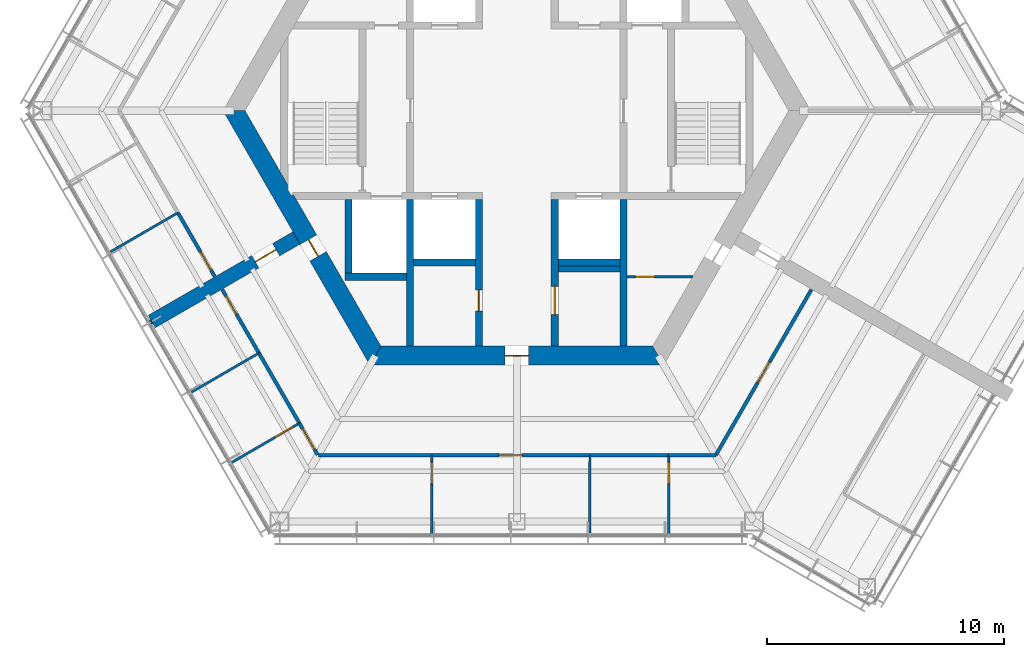
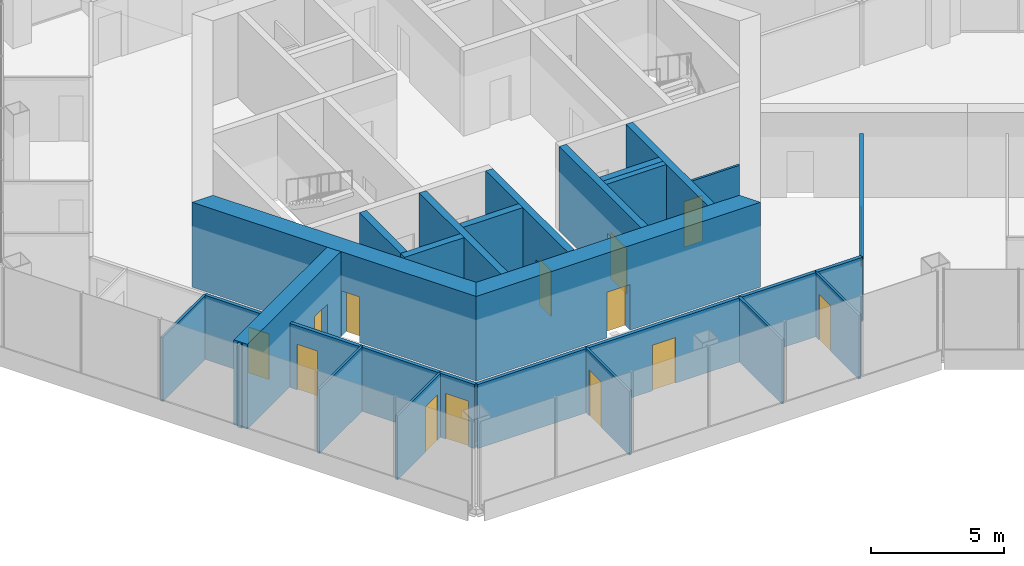
# One storey, part 7 of 13: 29 walls, 14 doors, 14 openings.
"""IFC4 building model written with IfcOpenShell, lengths in metres."""

from ifc_helpers import new_model, si_unit, direction, frame, frame_2d, origin, place, context, subcontext, project, spatial, polyline, rectangle, outline, extrude, material, layer, layer_set, type_object, element, fill, save


model = new_model("IFC4")

# Units and contexts
model_context = context("Model", 3, precision=1e-05, world=origin(), true_north=direction((0.0, 1.0)))
body_context = subcontext(model_context, "Body", "Model", "MODEL_VIEW")
ifc_project = project(units=[si_unit("LENGTHUNIT", "METRE"), si_unit("AREAUNIT", "SQUARE_METRE"), si_unit("VOLUMEUNIT", "CUBIC_METRE"), si_unit("PLANEANGLEUNIT", "RADIAN"), si_unit("MASSUNIT", "GRAM", prefix="KILO")], contexts=[model_context])

# Site, building, storey
site_placement = place(None, origin())
site = spatial("IfcSite", under=ifc_project, at=site_placement, CompositionType="ELEMENT")
building_placement = place(site_placement, origin())
building = spatial("IfcBuilding", under=site, at=building_placement, Name="Kasaneha Research Tower", CompositionType="ELEMENT")
storey_placement = place(building_placement, frame((0.0, 0.0, 294.699951171875)))
storey = spatial("IfcBuildingStorey", under=building, at=storey_placement, Name="L74", CompositionType="ELEMENT", Elevation=294.699951171875)

# Wall, opening, door
ifc_material_1 = material(Name="Concrete Fc60", Category="concrete")
ifc_layer_1 = layer(ifc_material_1, 0.300048828125)
ifc_layer_set_1 = layer_set([ifc_layer_1], Name="Core internal wall 300 Fc60")
wall_type_1 = type_object("IfcWallType", Name="Core internal wall 300 Fc60", PredefinedType="SHEAR", material=ifc_layer_set_1)
wall_1_placement = place(storey_placement, frame((-1.60009765625, -3.75, 0.0), z_axis=(0.0, 0.0, 1.0), x_axis=(0.0, -1.0, 0.0)))
wall_1 = element("IfcWall", 1, at=wall_1_placement, inside=storey, type_object=wall_type_1, Name="Core wall CSW L74", PredefinedType="SHEAR", context=body_context, shape_type="SweptSolid", body=[
    extrude(rectangle(XDim=6.175048828125, YDim=0.300048828125, at=frame_2d((3.08740234375, 0.0))), origin(), (0.0, 0.0, 1.0), 3.900146484375),
])
opening_1_placement = place(wall_1_placement, frame((3.800048828125, 0.0, 0.0)))
opening_1 = element("IfcOpeningElement", 2, at=opening_1_placement, cuts=wall_1, Name="Opening L74-D16", PredefinedType="OPENING", context=body_context, shape_type="SweptSolid", body=[
    extrude(rectangle(XDim=0.89990234375, YDim=2.10009765625, at=frame_2d((0.449951171875, 1.050048828125))), frame((0.0, 0.16015625, 0.0), z_axis=(0.0, -1.0, 0.0), x_axis=(1.0, 0.0, 0.0)), (0.0, 0.0, 1.0), 0.320068359375),
])
ifc_material_2 = material(Name="Steel", Category="steel")
door_type_1 = type_object("IfcDoorType", Name="Riser access door FD60 900x2100", OperationType="NOTDEFINED", PredefinedType="DOOR", material=ifc_material_2)
door_1_placement = place(opening_1_placement, origin())
door_1 = element("IfcDoor", 3, at=door_1_placement, inside=storey, type_object=door_type_1, Name="Electrical riser door L74-D16", OperationType="SINGLE_SWING_LEFT", OverallHeight=2.10009765625, OverallWidth=0.89990234375, PredefinedType="DOOR", context=body_context, shape_type="SweptSolid", body=[
    extrude(rectangle(XDim=0.89990234375, YDim=2.10009765625, at=frame_2d((0.449951171875, 1.050048828125))), frame((0.0, 0.02490234375, 0.0), z_axis=(0.0, -1.0, 0.0), x_axis=(1.0, 0.0, 0.0)), (0.0, 0.0, 1.0), 0.050048828125),
])
fill(opening_1, door_1)

wall_2_placement = place(storey_placement, frame((1.60009765625, -3.75, 0.0), z_axis=(0.0, 0.0, 1.0), x_axis=(0.0, -1.0, 0.0)))
wall_2 = element("IfcWall", 4, at=wall_2_placement, inside=storey, type_object=wall_type_1, Name="Core wall CSE L74", PredefinedType="SHEAR", context=body_context, shape_type="SweptSolid", body=[
    extrude(rectangle(XDim=6.175048828125, YDim=0.300048828125, at=frame_2d((3.08740234375, 0.0))), origin(), (0.0, 0.0, 1.0), 3.900146484375),
])
opening_2_placement = place(wall_2_placement, frame((3.64990234375, 0.0, 0.0)))
opening_2 = element("IfcOpeningElement", 5, at=opening_2_placement, cuts=wall_2, Name="Opening L74-D15", PredefinedType="OPENING", context=body_context, shape_type="SweptSolid", body=[
    extrude(rectangle(XDim=1.199951171875, YDim=2.10009765625, at=frame_2d((0.60009765625, 1.050048828125))), frame((0.0, 0.16015625, 0.0), z_axis=(0.0, -1.0, 0.0), x_axis=(1.0, 0.0, 0.0)), (0.0, 0.0, 1.0), 0.320068359375),
])
ifc_material_3 = material(Name="Steel", Category="steel")
door_type_2 = type_object("IfcDoorType", Name="Accessible toilet sliding door FD20 1200x2100", OperationType="SLIDING_TO_LEFT", PredefinedType="DOOR", material=ifc_material_3)
door_2_placement = place(opening_2_placement, origin())
door_2 = element("IfcDoor", 6, at=door_2_placement, inside=storey, type_object=door_type_2, Name="Accessible WC door L74-D15", OperationType="SLIDING_TO_LEFT", OverallHeight=2.10009765625, OverallWidth=1.199951171875, PredefinedType="DOOR", context=body_context, shape_type="SweptSolid", body=[
    extrude(rectangle(XDim=1.199951171875, YDim=2.10009765625, at=frame_2d((0.60009765625, 1.050048828125))), frame((0.0, 0.02490234375, 0.0), z_axis=(0.0, -1.0, 0.0), x_axis=(1.0, 0.0, 0.0)), (0.0, 0.0, 1.0), 0.050048828125),
])
fill(opening_2, door_2)

# Walls
for number, where, z_axis, x_axis, name in (
    (7, (-4.5, -3.75, 0.0), (0.0, 0.0, 1.0), (0.0, -1.0, 0.0), "Core wall SSW L74"),
    (8, (4.5, -3.75, 0.0), (0.0, 0.0, 1.0), (0.0, -1.0, 0.0), "Core wall SSE L74"),
):
    element("IfcWall", number, at=place(storey_placement, frame(where, z_axis=z_axis, x_axis=x_axis)), inside=storey, type_object=wall_type_1, Name=name, PredefinedType="SHEAR", context=body_context, shape_type="SweptSolid", body=[
        extrude(rectangle(XDim=6.175048828125, YDim=0.300048828125, at=frame_2d((3.08740234375, 0.0))), origin(), (0.0, 0.0, 1.0), 3.900146484375),
    ])
for number, where, z_axis, x_axis, name in (
    (9, (-4.35009765625, -6.39990234375, 0.0), (0.0, 0.0, 1.0), (1.0, 0.0, 0.0), "Core wall S1S L74"),
    (10, (1.75, -6.39990234375, 0.0), (0.0, 0.0, 1.0), (1.0, 0.0, 0.0), "Core wall S3S L74"),
    (11, (-7.25, -7.0, 0.0), (0.0, 0.0, 1.0), (1.0, 0.0, 0.0), "Core wall F2S L74"),
):
    element("IfcWall", number, at=place(storey_placement, frame(where, z_axis=z_axis, x_axis=x_axis)), inside=storey, type_object=wall_type_1, Name=name, PredefinedType="SHEAR", context=body_context, shape_type="SweptSolid", body=[
        extrude(rectangle(XDim=2.60009765625, YDim=0.300048828125, at=frame_2d((1.300048828125, 0.0))), origin(), (0.0, 0.0, 1.0), 3.900146484375),
    ])
wall_3_placement = place(storey_placement, frame((-7.10009765625, -3.75, 0.0), z_axis=(0.0, 0.0, 1.0), x_axis=(0.0, -1.0, 0.0)))
element("IfcWall", 12, at=wall_3_placement, inside=storey, type_object=wall_type_1, Name="Core wall F2W L74", PredefinedType="SHEAR", context=body_context, shape_type="SweptSolid", body=[
    extrude(rectangle(XDim=3.10009765625, YDim=0.300048828125, at=frame_2d((1.550048828125, 0.0))), origin(), (0.0, 0.0, 1.0), 3.900146484375),
])

# Wall, opening, door
ifc_material_4 = material(Name="Concrete Fc60", Category="concrete")
ifc_layer_2 = layer(ifc_material_4, 0.800048828125)
ifc_layer_set_2 = layer_set([ifc_layer_2], Name="Core wall 800 Fc60")
wall_type_2 = type_object("IfcWallType", Name="Core wall 800 Fc60", PredefinedType="SHEAR", material=ifc_layer_set_2)
wall_4_placement = place(storey_placement, frame((-11.92236328125, 0.0, 0.0), z_axis=(0.0, 0.0, 1.0), x_axis=(0.500004296715, -0.866022923061, 0.0)))
wall_4 = element("IfcWall", 13, at=wall_4_placement, inside=storey, type_object=wall_type_2, Name="Core wall 210 L74", PredefinedType="SHEAR", context=body_context, shape_type="SweptSolid", body=[
    extrude(outline(polyline([(-0.23095703125, -0.39990234375), (6.28125, -0.39990234375), (7.081298828125, -0.39990234375), (12.1533203125, -0.39990234375), (11.69140625, 0.39990234375), (7.081298828125, 0.39990234375), (6.28125, 0.39990234375), (0.23095703125, 0.39990234375), (-0.23095703125, -0.39990234375)])), origin(), (0.0, 0.0, 1.0), 3.900146484375),
])
opening_3_placement = place(wall_4_placement, frame((6.28125, 0.0, 0.0)))
opening_3 = element("IfcOpeningElement", 14, at=opening_3_placement, cuts=wall_4, Name="Opening L74-D06", PredefinedType="OPENING", context=body_context, shape_type="SweptSolid", body=[
    extrude(rectangle(XDim=0.800048828125, YDim=2.10009765625, at=frame_2d((0.39990234375, 1.050048828125))), frame((0.0, 0.41015625, 0.0), z_axis=(0.0, -1.0, 0.0), x_axis=(1.0, 0.0, 0.0)), (0.0, 0.0, 1.0), 0.820068359375),
])
ifc_material_5 = material(Name="Steel", Category="steel")
door_type_3 = type_object("IfcDoorType", Name="Riser access door FD60 800x2100", OperationType="NOTDEFINED", PredefinedType="DOOR", material=ifc_material_5)
door_3_placement = place(opening_3_placement, origin())
door_3 = element("IfcDoor", 15, at=door_3_placement, inside=storey, type_object=door_type_3, Name="Duct riser door L74-D06", OperationType="SINGLE_SWING_RIGHT", OverallHeight=2.10009765625, OverallWidth=0.800048828125, PredefinedType="DOOR", context=body_context, shape_type="SweptSolid", body=[
    extrude(rectangle(XDim=0.800048828125, YDim=2.10009765625, at=frame_2d((0.39990234375, 1.050048828125))), frame((0.0, 0.02490234375, 0.0), z_axis=(0.0, -1.0, 0.0), x_axis=(1.0, 0.0, 0.0)), (0.0, 0.0, 1.0), 0.050048828125),
])
fill(opening_3, door_3)

wall_5_placement = place(storey_placement, frame((-5.961181640625, -10.324951171875, 0.0), z_axis=(0.0, 0.0, 1.0), x_axis=(1.0, 0.0, 0.0)))
wall_5 = element("IfcWall", 16, at=wall_5_placement, inside=storey, type_object=wall_type_2, Name="Core wall 270 L74", PredefinedType="SHEAR", context=body_context, shape_type="SweptSolid", body=[
    extrude(outline(polyline([(-0.23095703125, -0.39990234375), (5.461181640625, -0.39990234375), (6.461181640625, -0.39990234375), (12.1533203125, -0.39990234375), (11.69140625, 0.39990234375), (6.461181640625, 0.39990234375), (5.461181640625, 0.39990234375), (0.23095703125, 0.39990234375), (-0.23095703125, -0.39990234375)])), origin(), (0.0, 0.0, 1.0), 3.900146484375),
])
opening_4_placement = place(wall_5_placement, frame((5.461181640625, 0.0, 0.0)))
opening_4 = element("IfcOpeningElement", 17, at=opening_4_placement, cuts=wall_5, Name="Opening L74-D03", PredefinedType="OPENING", context=body_context, shape_type="SweptSolid", body=[
    extrude(rectangle(XDim=1.0, YDim=2.10009765625, at=frame_2d((0.5, 1.050048828125))), frame((0.0, 0.41015625, 0.0), z_axis=(0.0, -1.0, 0.0), x_axis=(1.0, 0.0, 0.0)), (0.0, 0.0, 1.0), 0.820068359375),
])
ifc_material_6 = material(Name="Steel", Category="steel")
door_type_4 = type_object("IfcDoorType", Name="Fire door FD20 1000x2100", OperationType="NOTDEFINED", PredefinedType="DOOR", material=ifc_material_6)
door_4_placement = place(opening_4_placement, origin())
door_4 = element("IfcDoor", 18, at=door_4_placement, inside=storey, type_object=door_type_4, Name="Core door south L74-D03", OperationType="SINGLE_SWING_LEFT", OverallHeight=2.10009765625, OverallWidth=1.0, PredefinedType="DOOR", context=body_context, shape_type="SweptSolid", body=[
    extrude(rectangle(XDim=1.0, YDim=2.10009765625, at=frame_2d((0.5, 1.050048828125))), frame((0.0, 0.02490234375, 0.0), z_axis=(0.0, -1.0, 0.0), x_axis=(1.0, 0.0, 0.0)), (0.0, 0.0, 1.0), 0.050048828125),
])
fill(opening_4, door_4)

ifc_material_7 = material(Name="Gypsum board on steel studs, one layer each side", Category="steel")
ifc_layer_3 = layer(ifc_material_7, 0.10009765625)
ifc_layer_set_3 = layer_set([ifc_layer_3], Name="Office partition 100")
wall_type_3 = type_object("IfcWallType", Name="Office partition 100", PredefinedType="PARTITIONING", material=ifc_layer_set_3)
wall_6_placement = place(storey_placement, frame((4.64990234375, -7.0, 0.0), z_axis=(0.0, 0.0, 1.0), x_axis=(1.0, 0.0, 0.0)))
wall_6 = element("IfcWall", 19, at=wall_6_placement, inside=storey, type_object=wall_type_3, Name="Office partition RS-SE L74", PredefinedType="PARTITIONING", context=body_context, shape_type="SweptSolid", body=[
    extrude(outline(polyline([(0.0, -0.050048828125), (0.35009765625, -0.050048828125), (1.150146484375, -0.050048828125), (2.740234375, -0.050048828125), (2.76904296875, 0.0), (2.77490234375, 0.050048828125), (1.150146484375, 0.050048828125), (0.35009765625, 0.050048828125), (0.0, 0.050048828125), (0.0, -0.050048828125)])), origin(), (0.0, 0.0, 1.0), 2.949951171875),
])
opening_5_placement = place(wall_6_placement, frame((0.35009765625, 0.0, 0.0)))
opening_5 = element("IfcOpeningElement", 20, at=opening_5_placement, cuts=wall_6, Name="Opening L74-D25", PredefinedType="OPENING", context=body_context, shape_type="SweptSolid", body=[
    extrude(rectangle(XDim=0.800048828125, YDim=2.10009765625, at=frame_2d((0.39990234375, 1.050048828125))), frame((0.0, 0.06005859375, 0.0), z_axis=(0.0, -1.0, 0.0), x_axis=(1.0, 0.0, 0.0)), (0.0, 0.0, 1.0), 0.1201171875),
])
door_5_placement = place(opening_5_placement, origin())
door_5 = element("IfcDoor", 21, at=door_5_placement, inside=storey, type_object=door_type_3, Name="Drainage riser door L74-D25", OperationType="SINGLE_SWING_LEFT", OverallHeight=2.10009765625, OverallWidth=0.800048828125, PredefinedType="DOOR", context=body_context, shape_type="SweptSolid", body=[
    extrude(rectangle(XDim=0.800048828125, YDim=2.10009765625, at=frame_2d((0.39990234375, 1.050048828125))), frame((0.0, 0.02490234375, 0.0), z_axis=(0.0, -1.0, 0.0), x_axis=(1.0, 0.0, 0.0)), (0.0, 0.0, 1.0), 0.050048828125),
])
fill(opening_5, door_5)

# Walls
wall_7_placement = place(storey_placement, frame((-14.289306640625, -4.30029296875, 0.0), z_axis=(0.0, 0.0, 1.0), x_axis=(-0.865245913684, -0.501347692578, 0.0)))
element("IfcWall", 22, at=wall_7_placement, inside=storey, type_object=wall_type_3, Name="Office partition FBN11 L74", PredefinedType="PARTITIONING", context=body_context, shape_type="SweptSolid", body=[
    extrude(rectangle(XDim=3.275390625, YDim=0.10009765625, at=frame_2d((1.6376953125, 0.0))), origin(), (0.0, 0.0, 1.0), 2.949951171875),
])
wall_8_placement = place(storey_placement, frame((-10.873779296875, -10.216064453125, 0.0), z_axis=(0.0, 0.0, 1.0), x_axis=(-0.865292288087, -0.501267649243, 0.0)))
element("IfcWall", 23, at=wall_8_placement, inside=storey, type_object=wall_type_3, Name="Office partition FBS04 L74", PredefinedType="PARTITIONING", context=body_context, shape_type="SweptSolid", body=[
    extrude(rectangle(XDim=3.28564453125, YDim=0.10009765625, at=frame_2d((1.642822265625, 0.0))), origin(), (0.0, 0.0, 1.0), 2.949951171875),
])

# Wall, opening, door
wall_9_placement = place(storey_placement, frame((-9.165771484375, -13.17431640625, 0.0), z_axis=(0.0, 0.0, 1.0), x_axis=(-0.865342122637, -0.501181614577, 0.0)))
wall_9 = element("IfcWall", 24, at=wall_9_placement, inside=storey, type_object=wall_type_3, Name="Office partition FBS05 L74", PredefinedType="PARTITIONING", context=body_context, shape_type="SweptSolid", body=[
    extrude(rectangle(XDim=3.310546875, YDim=0.10009765625, at=frame_2d((1.6552734375, 0.0))), origin(), (0.0, 0.0, 1.0), 2.949951171875),
])
opening_6_placement = place(wall_9_placement, frame((0.300048828125, 0.0, 0.0)))
opening_6 = element("IfcOpeningElement", 25, at=opening_6_placement, cuts=wall_9, Name="Opening L74-D45", PredefinedType="OPENING", context=body_context, shape_type="SweptSolid", body=[
    extrude(rectangle(XDim=0.89990234375, YDim=2.10009765625, at=frame_2d((0.449951171875, 1.050048828125))), frame((0.0, 0.06005859375, 0.0), z_axis=(0.0, -1.0, 0.0), x_axis=(1.0, 0.0, 0.0)), (0.0, 0.0, 1.0), 0.1201171875),
])
ifc_material_8 = material(Name="Timber veneer", Category="wood")
door_type_5 = type_object("IfcDoorType", Name="Office door 900x2100", OperationType="SINGLE_SWING_LEFT", PredefinedType="DOOR", material=ifc_material_8)
door_6_placement = place(opening_6_placement, origin())
door_6 = element("IfcDoor", 26, at=door_6_placement, inside=storey, type_object=door_type_5, Name="Executive office door L74-D45", OperationType="SINGLE_SWING_LEFT", OverallHeight=2.10009765625, OverallWidth=0.89990234375, PredefinedType="DOOR", context=body_context, shape_type="SweptSolid", body=[
    extrude(rectangle(XDim=0.89990234375, YDim=2.10009765625, at=frame_2d((0.449951171875, 1.050048828125))), frame((0.0, 0.02490234375, 0.0), z_axis=(0.0, -1.0, 0.0), x_axis=(1.0, 0.0, 0.0)), (0.0, 0.0, 1.0), 0.050048828125),
])
fill(opening_6, door_6)

wall_10_placement = place(storey_placement, frame((-3.589111328125, -14.52490234375, 0.0), z_axis=(0.0, 0.0, 1.0), x_axis=(0.001401178566, -0.999999018349, 0.0)))
wall_10 = element("IfcWall", 27, at=wall_10_placement, inside=storey, type_object=wall_type_3, Name="Office partition FCS06 L74", PredefinedType="PARTITIONING", context=body_context, shape_type="SweptSolid", body=[
    extrude(rectangle(XDim=3.310546875, YDim=0.10009765625, at=frame_2d((1.6552734375, 0.0))), origin(), (0.0, 0.0, 1.0), 2.949951171875),
])
opening_7_placement = place(wall_10_placement, frame((0.300048828125, 0.0, 0.0)))
opening_7 = element("IfcOpeningElement", 28, at=opening_7_placement, cuts=wall_10, Name="Opening L74-D48", PredefinedType="OPENING", context=body_context, shape_type="SweptSolid", body=[
    extrude(rectangle(XDim=0.89990234375, YDim=2.10009765625, at=frame_2d((0.449951171875, 1.050048828125))), frame((0.0, 0.06005859375, 0.0), z_axis=(0.0, -1.0, 0.0), x_axis=(1.0, 0.0, 0.0)), (0.0, 0.0, 1.0), 0.1201171875),
])
door_7_placement = place(opening_7_placement, origin())
door_7 = element("IfcDoor", 29, at=door_7_placement, inside=storey, type_object=door_type_5, Name="Executive office door L74-D48", OperationType="SINGLE_SWING_LEFT", OverallHeight=2.10009765625, OverallWidth=0.89990234375, PredefinedType="DOOR", context=body_context, shape_type="SweptSolid", body=[
    extrude(rectangle(XDim=0.89990234375, YDim=2.10009765625, at=frame_2d((0.449951171875, 1.050048828125))), frame((0.0, 0.02490234375, 0.0), z_axis=(0.0, -1.0, 0.0), x_axis=(1.0, 0.0, 0.0)), (0.0, 0.0, 1.0), 0.050048828125),
])
fill(opening_7, door_7)

wall_11_placement = place(storey_placement, frame((6.40380859375, -14.52490234375, 0.0), z_axis=(0.0, 0.0, 1.0), x_axis=(0.001401178566, -0.999999018349, 0.0)))
wall_11 = element("IfcWall", 30, at=wall_11_placement, inside=storey, type_object=wall_type_3, Name="Office partition FCS07 L74", PredefinedType="PARTITIONING", context=body_context, shape_type="SweptSolid", body=[
    extrude(rectangle(XDim=3.310546875, YDim=0.10009765625, at=frame_2d((1.6552734375, 0.0))), origin(), (0.0, 0.0, 1.0), 2.949951171875),
])
opening_8_placement = place(wall_11_placement, frame((0.300048828125, 0.0, 0.0)))
opening_8 = element("IfcOpeningElement", 31, at=opening_8_placement, cuts=wall_11, Name="Opening L74-D49", PredefinedType="OPENING", context=body_context, shape_type="SweptSolid", body=[
    extrude(rectangle(XDim=0.89990234375, YDim=2.10009765625, at=frame_2d((0.449951171875, 1.050048828125))), frame((0.0, 0.06005859375, 0.0), z_axis=(0.0, -1.0, 0.0), x_axis=(1.0, 0.0, 0.0)), (0.0, 0.0, 1.0), 0.1201171875),
])
door_8_placement = place(opening_8_placement, origin())
door_8 = element("IfcDoor", 32, at=door_8_placement, inside=storey, type_object=door_type_5, Name="Executive office door L74-D49", OperationType="SINGLE_SWING_LEFT", OverallHeight=2.10009765625, OverallWidth=0.89990234375, PredefinedType="DOOR", context=body_context, shape_type="SweptSolid", body=[
    extrude(rectangle(XDim=0.89990234375, YDim=2.10009765625, at=frame_2d((0.449951171875, 1.050048828125))), frame((0.0, 0.02490234375, 0.0), z_axis=(0.0, -1.0, 0.0), x_axis=(1.0, 0.0, 0.0)), (0.0, 0.0, 1.0), 0.050048828125),
])
fill(opening_8, door_8)

# Wall
wall_12_placement = place(storey_placement, frame((3.077392578125, -17.800537109375, 0.0), z_axis=(0.0, 0.0, 1.0), x_axis=(0.001341580368, 0.999999100081, 0.0)))
element("IfcWall", 33, at=wall_12_placement, inside=storey, type_object=wall_type_3, Name="Office partition FCS08 L74", PredefinedType="PARTITIONING", context=body_context, shape_type="SweptSolid", body=[
    extrude(rectangle(XDim=3.275634765625, YDim=0.10009765625, at=frame_2d((1.6376953125, 0.0))), origin(), (0.0, 0.0, 1.0), 2.949951171875),
])

# Wall, opening, door
ifc_material_9 = material(Name="Concrete Fc60", Category="concrete")
ifc_layer_4 = layer(ifc_material_9, 0.60009765625)
ifc_layer_set_4 = layer_set([ifc_layer_4], Name="Spine wall 600 Fc60")
wall_type_4 = type_object("IfcWallType", Name="Spine wall 600 Fc60", PredefinedType="SHEAR", material=ifc_layer_set_4)
wall_13_placement = place(storey_placement, frame((-9.2880859375, -5.362548828125, 0.0), z_axis=(0.0, 0.0, 1.0), x_axis=(-0.866027473358, -0.499996415376, 0.0)))
wall_13 = element("IfcWall", 34, at=wall_13_placement, inside=storey, type_object=wall_type_4, Name="Spine wall B L74", PredefinedType="SHEAR", context=body_context, shape_type="SweptSolid", body=[
    extrude(rectangle(XDim=7.04541015625, YDim=0.60009765625, at=frame_2d((3.522705078125, 0.0))), origin(), (0.0, 0.0, 1.0), 3.900146484375),
])
opening_9_placement = place(wall_13_placement, frame((1.0, 0.0, 0.0)))
opening_9 = element("IfcOpeningElement", 35, at=opening_9_placement, cuts=wall_13, Name="Opening L74-D19", PredefinedType="OPENING", context=body_context, shape_type="SweptSolid", body=[
    extrude(rectangle(XDim=1.0, YDim=2.10009765625, at=frame_2d((0.5, 1.050048828125))), frame((0.0, 0.31005859375, 0.0), z_axis=(0.0, -1.0, 0.0), x_axis=(1.0, 0.0, 0.0)), (0.0, 0.0, 1.0), 0.6201171875),
])
ifc_material_10 = material(Name="Steel", Category="steel")
door_type_6 = type_object("IfcDoorType", Name="Specified fire door FD60 1000x2100", OperationType="NOTDEFINED", PredefinedType="DOOR", material=ifc_material_10)
door_9_placement = place(opening_9_placement, origin())
door_9 = element("IfcDoor", 36, at=door_9_placement, inside=storey, type_object=door_type_6, Name="Spine doorway B L74-D19", OperationType="SINGLE_SWING_LEFT", OverallHeight=2.10009765625, OverallWidth=1.0, PredefinedType="DOOR", context=body_context, shape_type="SweptSolid", body=[
    extrude(rectangle(XDim=1.0, YDim=2.10009765625, at=frame_2d((0.5, 1.050048828125))), frame((0.0, 0.02490234375, 0.0), z_axis=(0.0, -1.0, 0.0), x_axis=(1.0, 0.0, 0.0)), (0.0, 0.0, 1.0), 0.050048828125),
])
fill(opening_9, door_9)

ifc_material_11 = material(Name="Gypsum board on steel studs, two layers each side", Category="steel")
ifc_layer_5 = layer(ifc_material_11, 0.14990234375)
ifc_layer_set_5 = layer_set([ifc_layer_5], Name="Suite partition 150")
wall_type_5 = type_object("IfcWallType", Name="Suite partition 150", PredefinedType="PARTITIONING", material=ifc_layer_set_5)
wall_14_placement = place(storey_placement, frame((-12.739013671875, -6.9853515625, 0.0), z_axis=(0.0, 0.0, 1.0), x_axis=(-0.500017819788, 0.86601511528, 0.0)))
wall_14 = element("IfcWall", 37, at=wall_14_placement, inside=storey, type_object=wall_type_5, Name="Suite partition FBN04 L74", PredefinedType="PARTITIONING", context=body_context, shape_type="SweptSolid", body=[
    extrude(rectangle(XDim=3.1005859375, YDim=0.14990234375, at=frame_2d((1.55029296875, 0.0))), origin(), (0.0, 0.0, 1.0), 2.949951171875),
])
opening_10_placement = place(wall_14_placement, frame((0.300048828125, 0.0, 0.0)))
opening_10 = element("IfcOpeningElement", 38, at=opening_10_placement, cuts=wall_14, Name="Opening L74-D37", PredefinedType="OPENING", context=body_context, shape_type="SweptSolid", body=[
    extrude(rectangle(XDim=0.89990234375, YDim=2.10009765625, at=frame_2d((0.449951171875, 1.050048828125))), frame((0.0, 0.0849609375, 0.0), z_axis=(0.0, -1.0, 0.0), x_axis=(1.0, 0.0, 0.0)), (0.0, 0.0, 1.0), 0.169921875),
])
door_10_placement = place(opening_10_placement, origin())
door_10 = element("IfcDoor", 39, at=door_10_placement, inside=storey, type_object=door_type_5, Name="Executive office door L74-D37", OperationType="SINGLE_SWING_LEFT", OverallHeight=2.10009765625, OverallWidth=0.89990234375, PredefinedType="DOOR", context=body_context, shape_type="SweptSolid", body=[
    extrude(rectangle(XDim=0.89990234375, YDim=2.10009765625, at=frame_2d((0.449951171875, 1.050048828125))), frame((0.0, 0.02490234375, 0.0), z_axis=(0.0, -1.0, 0.0), x_axis=(1.0, 0.0, 0.0)), (0.0, 0.0, 1.0), 0.050048828125),
])
fill(opening_10, door_10)

wall_15_placement = place(storey_placement, frame((-10.868896484375, -10.224609375, 0.0), z_axis=(0.0, 0.0, 1.0), x_axis=(-0.499958760481, 0.866049212123, 0.0)))
wall_15 = element("IfcWall", 40, at=wall_15_placement, inside=storey, type_object=wall_type_5, Name="Suite partition FBS01 L74", PredefinedType="PARTITIONING", context=body_context, shape_type="SweptSolid", body=[
    extrude(rectangle(XDim=3.100341796875, YDim=0.14990234375, at=frame_2d((1.55029296875, 0.0))), origin(), (0.0, 0.0, 1.0), 2.949951171875),
])
opening_11_placement = place(wall_15_placement, frame((1.900390625, 0.0, 0.0)))
opening_11 = element("IfcOpeningElement", 41, at=opening_11_placement, cuts=wall_15, Name="Opening L74-D43", PredefinedType="OPENING", context=body_context, shape_type="SweptSolid", body=[
    extrude(rectangle(XDim=0.89990234375, YDim=2.10009765625, at=frame_2d((0.449951171875, 1.050048828125))), frame((0.0, 0.0849609375, 0.0), z_axis=(0.0, -1.0, 0.0), x_axis=(1.0, 0.0, 0.0)), (0.0, 0.0, 1.0), 0.169921875),
])
door_11_placement = place(opening_11_placement, origin())
door_11 = element("IfcDoor", 42, at=door_11_placement, inside=storey, type_object=door_type_5, Name="Executive office door L74-D43", OperationType="SINGLE_SWING_RIGHT", OverallHeight=2.10009765625, OverallWidth=0.89990234375, PredefinedType="DOOR", context=body_context, shape_type="SweptSolid", body=[
    extrude(rectangle(XDim=0.89990234375, YDim=2.10009765625, at=frame_2d((0.449951171875, 1.050048828125))), frame((0.0, 0.02490234375, 0.0), z_axis=(0.0, -1.0, 0.0), x_axis=(1.0, 0.0, 0.0)), (0.0, 0.0, 1.0), 0.050048828125),
])
fill(opening_11, door_11)

# Wall
wall_16_placement = place(storey_placement, frame((-9.160888671875, -13.1826171875, 0.0), z_axis=(0.0, 0.0, 1.0), x_axis=(-0.500032973541, 0.866006365664, 0.0)))
element("IfcWall", 43, at=wall_16_placement, inside=storey, type_object=wall_type_5, Name="Suite partition FBS02 L74", PredefinedType="PARTITIONING", context=body_context, shape_type="SweptSolid", body=[
    extrude(rectangle(XDim=3.425537109375, YDim=0.14990234375, at=frame_2d((1.712890625, 0.0))), origin(), (0.0, 0.0, 1.0), 2.949951171875),
])

# Wall, opening, door
wall_17_placement = place(storey_placement, frame((-8.397705078125, -14.5048828125, 0.0), z_axis=(0.0, 0.0, 1.0), x_axis=(-0.499933379091, 0.866063863968, 0.0)))
wall_17 = element("IfcWall", 44, at=wall_17_placement, inside=storey, type_object=wall_type_5, Name="Suite partition FBS03 L74", PredefinedType="PARTITIONING", context=body_context, shape_type="SweptSolid", body=[
    extrude(rectangle(XDim=1.536376953125, YDim=0.14990234375, at=frame_2d((0.76806640625, 0.0))), origin(), (0.0, 0.0, 1.0), 2.949951171875),
])
opening_12_placement = place(wall_17_placement, frame((0.268310546875, 0.0, 0.0)))
opening_12 = element("IfcOpeningElement", 45, at=opening_12_placement, cuts=wall_17, Name="Opening L74-D44", PredefinedType="OPENING", context=body_context, shape_type="SweptSolid", body=[
    extrude(rectangle(XDim=1.0, YDim=2.10009765625, at=frame_2d((0.5, 1.050048828125))), frame((0.0, 0.0849609375, 0.0), z_axis=(0.0, -1.0, 0.0), x_axis=(1.0, 0.0, 0.0)), (0.0, 0.0, 1.0), 0.169921875),
])
ifc_material_12 = material(Name="Steel", Category="steel")
door_type_7 = type_object("IfcDoorType", Name="Suite entrance door FD60 1000x2100", OperationType="NOTDEFINED", PredefinedType="DOOR", material=ifc_material_12)
door_12_placement = place(opening_12_placement, origin())
door_12 = element("IfcDoor", 46, at=door_12_placement, inside=storey, type_object=door_type_7, Name="Suite entrance door L74-D44", OperationType="SINGLE_SWING_LEFT", OverallHeight=2.10009765625, OverallWidth=1.0, PredefinedType="DOOR", context=body_context, shape_type="SweptSolid", body=[
    extrude(rectangle(XDim=1.0, YDim=2.10009765625, at=frame_2d((0.5, 1.050048828125))), frame((0.0, 0.02490234375, 0.0), z_axis=(0.0, -1.0, 0.0), x_axis=(1.0, 0.0, 0.0)), (0.0, 0.0, 1.0), 0.050048828125),
])
fill(opening_12, door_12)

# Walls
wall_18_placement = place(storey_placement, frame((-3.57958984375, -14.52490234375, 0.0), z_axis=(0.0, 0.0, 1.0), x_axis=(-1.0, 0.0, 0.0)))
element("IfcWall", 47, at=wall_18_placement, inside=storey, type_object=wall_type_5, Name="Suite partition FCS01 L74", PredefinedType="PARTITIONING", context=body_context, shape_type="SweptSolid", body=[
    extrude(rectangle(XDim=4.783203125, YDim=0.14990234375, at=frame_2d((2.3916015625, 0.0))), origin(), (0.0, 0.0, 1.0), 2.949951171875),
])
wall_19_placement = place(storey_placement, frame((6.413330078125, -14.52490234375, 0.0), z_axis=(0.0, 0.0, 1.0), x_axis=(-1.0, 0.0, 0.0)))
element("IfcWall", 48, at=wall_19_placement, inside=storey, type_object=wall_type_5, Name="Suite partition FCS02 L74", PredefinedType="PARTITIONING", context=body_context, shape_type="SweptSolid", body=[
    extrude(rectangle(XDim=3.3408203125, YDim=0.14990234375, at=frame_2d((1.67041015625, 0.0))), origin(), (0.0, 0.0, 1.0), 2.949951171875),
])
wall_20_placement = place(storey_placement, frame((8.385986328125, -14.52490234375, 0.0), z_axis=(0.0, 0.0, 1.0), x_axis=(-1.0, 0.0, 0.0)))
element("IfcWall", 49, at=wall_20_placement, inside=storey, type_object=wall_type_5, Name="Suite partition FCS03 L74", PredefinedType="PARTITIONING", context=body_context, shape_type="SweptSolid", body=[
    extrude(rectangle(XDim=1.982177734375, YDim=0.14990234375, at=frame_2d((0.9912109375, 0.0))), origin(), (0.0, 0.0, 1.0), 2.949951171875),
])

# Wall, opening, door
wall_21_placement = place(storey_placement, frame((12.4189453125, -7.53955078125, 0.0), z_axis=(0.0, 0.0, 1.0), x_axis=(-0.499996687877, -0.866027316031, 0.0)))
wall_21 = element("IfcWall", 50, at=wall_21_placement, inside=storey, type_object=wall_type_5, Name="Suite partition FCS04 L74", PredefinedType="PARTITIONING", context=body_context, shape_type="SweptSolid", body=[
    extrude(rectangle(XDim=8.06591796875, YDim=0.14990234375, at=frame_2d((4.032958984375, 0.0))), origin(), (0.0, 0.0, 1.0), 2.949951171875),
])
opening_13_placement = place(wall_21_placement, frame((3.532958984375, 0.0, 0.0)))
opening_13 = element("IfcOpeningElement", 51, at=opening_13_placement, cuts=wall_21, Name="Opening L74-D46", PredefinedType="OPENING", context=body_context, shape_type="SweptSolid", body=[
    extrude(rectangle(XDim=1.0, YDim=2.10009765625, at=frame_2d((0.5, 1.050048828125))), frame((0.0, 0.0849609375, 0.0), z_axis=(0.0, -1.0, 0.0), x_axis=(1.0, 0.0, 0.0)), (0.0, 0.0, 1.0), 0.169921875),
])
door_13_placement = place(opening_13_placement, origin())
door_13 = element("IfcDoor", 52, at=door_13_placement, inside=storey, type_object=door_type_7, Name="Suite entrance door L74-D46", OperationType="SINGLE_SWING_RIGHT", OverallHeight=2.10009765625, OverallWidth=1.0, PredefinedType="DOOR", context=body_context, shape_type="SweptSolid", body=[
    extrude(rectangle(XDim=1.0, YDim=2.10009765625, at=frame_2d((0.5, 1.050048828125))), frame((0.0, 0.02490234375, 0.0), z_axis=(0.0, -1.0, 0.0), x_axis=(1.0, 0.0, 0.0)), (0.0, 0.0, 1.0), 0.050048828125),
])
fill(opening_13, door_13)

wall_22_placement = place(storey_placement, frame((3.081787109375, -14.52490234375, 0.0), z_axis=(0.0, 0.0, 1.0), x_axis=(-1.0, 0.0, 0.0)))
wall_22 = element("IfcWall", 53, at=wall_22_placement, inside=storey, type_object=wall_type_5, Name="Suite partition FCS05 L74", PredefinedType="PARTITIONING", context=body_context, shape_type="SweptSolid", body=[
    extrude(rectangle(XDim=6.6708984375, YDim=0.14990234375, at=frame_2d((3.33544921875, 0.0))), origin(), (0.0, 0.0, 1.0), 2.949951171875),
])
opening_14_placement = place(wall_22_placement, frame((2.83544921875, 0.0, 0.0)))
opening_14 = element("IfcOpeningElement", 54, at=opening_14_placement, cuts=wall_22, Name="Opening L74-D47", PredefinedType="OPENING", context=body_context, shape_type="SweptSolid", body=[
    extrude(rectangle(XDim=1.0, YDim=2.10009765625, at=frame_2d((0.5, 1.050048828125))), frame((0.0, 0.0849609375, 0.0), z_axis=(0.0, -1.0, 0.0), x_axis=(1.0, 0.0, 0.0)), (0.0, 0.0, 1.0), 0.169921875),
])
door_14_placement = place(opening_14_placement, origin())
door_14 = element("IfcDoor", 55, at=door_14_placement, inside=storey, type_object=door_type_7, Name="Suite entrance door L74-D47", OperationType="SINGLE_SWING_LEFT", OverallHeight=2.10009765625, OverallWidth=1.0, PredefinedType="DOOR", context=body_context, shape_type="SweptSolid", body=[
    extrude(rectangle(XDim=1.0, YDim=2.10009765625, at=frame_2d((0.5, 1.050048828125))), frame((0.0, 0.02490234375, 0.0), z_axis=(0.0, -1.0, 0.0), x_axis=(1.0, 0.0, 0.0)), (0.0, 0.0, 1.0), 0.050048828125),
])
fill(opening_14, door_14)

# Walls
ifc_material_13 = material(Name="Gypsum board on steel studs, two layers each side", Category="steel")
ifc_layer_6 = layer(ifc_material_13, 0.175048828125)
ifc_layer_set_6 = layer_set([ifc_layer_6], Name="Tenancy fire partition 175")
wall_type_6 = type_object("IfcWallType", Name="Tenancy fire partition 175", PredefinedType="PARTITIONING", material=ifc_layer_set_6)
wall_23_placement = place(storey_placement, frame((-15.3896484375, -8.88525390625, 0.0), z_axis=(0.0, 0.0, 1.0), x_axis=(-0.866622456874, -0.498964444867, 0.0)))
element("IfcWall", 56, at=wall_23_placement, inside=storey, type_object=wall_type_6, Name="Spine wall closer SW4-600 L74", PredefinedType="PARTITIONING", context=body_context, shape_type="SweptSolid", body=[
    extrude(rectangle(XDim=0.065185546875, YDim=0.175048828125, at=frame_2d((0.03271484375, 0.0))), origin(), (0.0, 0.0, 1.0), 3.900146484375),
])
ifc_material_14 = material(Name="Concrete block lining", Category="concrete")
ifc_layer_7 = layer(ifc_material_14, 0.25)
ifc_layer_set_7 = layer_set([ifc_layer_7], Name="WC plumbing wall 250")
wall_type_7 = type_object("IfcWallType", Name="WC plumbing wall 250", PredefinedType="PLUMBINGWALL", material=ifc_layer_set_7)
wall_24_placement = place(storey_placement, frame((1.75, -6.675048828125, 0.0), z_axis=(0.0, 0.0, 1.0), x_axis=(1.0, 0.0, 0.0)))
element("IfcWall", 57, at=wall_24_placement, inside=storey, type_object=wall_type_7, Name="WC plumbing wall A L74", PredefinedType="PLUMBINGWALL", context=body_context, shape_type="SweptSolid", body=[
    extrude(rectangle(XDim=2.60009765625, YDim=0.25, at=frame_2d((1.300048828125, 0.0))), origin(), (0.0, 0.0, 1.0), 3.900146484375),
])

save(model, "model.ifc")
